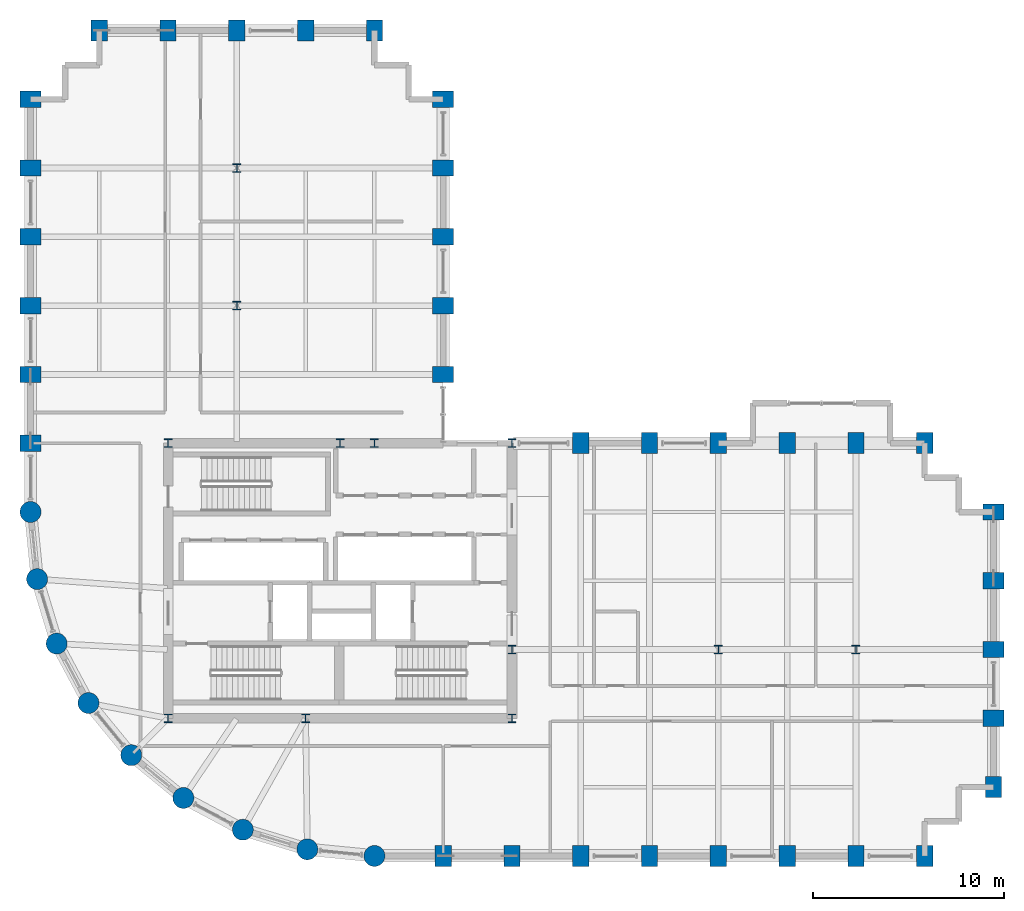
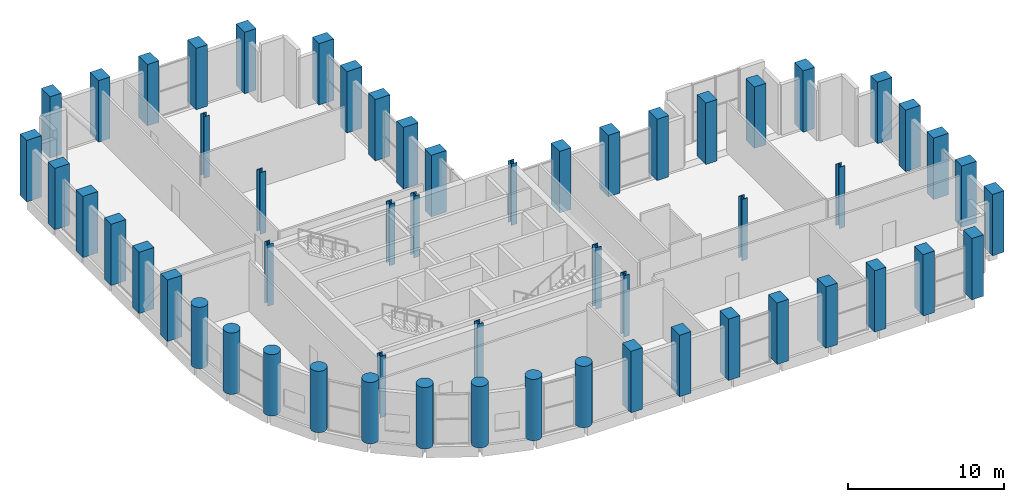
# One storey, part 1 of 22: 56 columns.
"""IFC4 building model written with IfcOpenShell, lengths in metres."""

from ifc_helpers import new_model, si_unit, direction, frame, origin, origin_2d, place, context, subcontext, project, spatial, rectangle, circle, i_section, extrude, material, material_profile, profile_set, type_object, element, save


model = new_model("IFC4")

# Units and contexts
model_context = context("Model", 3, precision=1e-05, world=origin(), true_north=direction((0.0, 1.0)))
body_context = subcontext(model_context, "Body", "Model", "MODEL_VIEW")
ifc_project = project(units=[si_unit("LENGTHUNIT", "METRE"), si_unit("AREAUNIT", "SQUARE_METRE"), si_unit("VOLUMEUNIT", "CUBIC_METRE"), si_unit("PLANEANGLEUNIT", "RADIAN"), si_unit("MASSUNIT", "GRAM", prefix="KILO")], contexts=[model_context])

# Site, building, storey
site_placement = place(None, origin())
site = spatial("IfcSite", under=ifc_project, at=site_placement, CompositionType="ELEMENT")
building_placement = place(site_placement, origin())
building = spatial("IfcBuilding", under=site, at=building_placement, Name="Solnavia Interchange Tower", CompositionType="ELEMENT")
storey_placement = place(building_placement, frame((0.0, 0.0, 115.199951171875)))
storey = spatial("IfcBuildingStorey", under=building, at=storey_placement, Name="L28", CompositionType="ELEMENT", Elevation=115.199951171875)

# Columns
ifc_material_1 = material(Name="Concrete C50/60", Category="concrete")
ifc_material_profile_1 = material_profile(ifc_material_1, rectangle(XDim=0.85009765625, YDim=1.10009765625, at=origin_2d()), Name="RC 1100x850")
ifc_profile_set_1 = profile_set([ifc_material_profile_1], Name="Concrete C50/60")
column_type_1 = type_object("IfcColumnType", Name="Col-RC-1100x850", PredefinedType="COLUMN", material=ifc_profile_set_1)
for number, where, z_axis, x_axis, name in (
    (1, (7.199951171875, 25.199951171875, 0.0), (0.0, 0.0, 1.0), (0.0, 1.0, 0.0), "COL-L28-02 Tower perim y column"),
    (2, (7.199951171875, 28.800048828125, 0.0), (0.0, 0.0, 1.0), (0.0, 1.0, 0.0), "COL-L28-03 Tower perim y column"),
    (3, (7.199951171875, 32.39990234375, 0.0), (0.0, 0.0, 1.0), (0.0, 1.0, 0.0), "COL-L28-04 Tower perim y column"),
    (4, (7.199951171875, 36.0, 0.0), (0.0, 0.0, 1.0), (0.0, 1.0, 0.0), "COL-L28-05 Tower perim y column"),
    (5, (7.199951171875, 39.60009765625, 0.0), (0.0, 0.0, 1.0), (0.0, 1.0, 0.0), "COL-L28-06 Tower perim y column"),
    (6, (7.199951171875, 43.199951171875, 0.0), (0.0, 0.0, 1.0), (0.0, 1.0, 0.0), "COL-L28-07 Tower corner column"),
    (7, (10.800048828125, 46.800048828125, 0.0), (0.0, 0.0, 1.0), (1.0, 0.0, 0.0), "COL-L28-11 Tower corner column"),
    (8, (14.39990234375, 46.800048828125, 0.0), (0.0, 0.0, 1.0), (1.0, 0.0, 0.0), "COL-L28-15 Tower perim x column"),
    (9, (18.0, 46.800048828125, 0.0), (0.0, 0.0, 1.0), (1.0, 0.0, 0.0), "COL-L28-19 Tower perim x column"),
    (10, (21.60009765625, 46.800048828125, 0.0), (0.0, 0.0, 1.0), (1.0, 0.0, 0.0), "COL-L28-22 Tower perim x column"),
    (11, (25.199951171875, 46.800048828125, 0.0), (0.0, 0.0, 1.0), (1.0, 0.0, 0.0), "COL-L28-27 Tower corner column"),
    (12, (28.800048828125, 3.60009765625, 0.0), (0.0, 0.0, 1.0), (1.0, 0.0, 0.0), "COL-L28-28 Tower perim x column"),
    (13, (28.800048828125, 28.800048828125, 0.0), (0.0, 0.0, 1.0), (0.0, 1.0, 0.0), "COL-L28-29 Tower perim y column"),
    (14, (28.800048828125, 32.39990234375, 0.0), (0.0, 0.0, 1.0), (0.0, 1.0, 0.0), "COL-L28-30 Tower perim y column"),
    (15, (28.800048828125, 36.0, 0.0), (0.0, 0.0, 1.0), (0.0, 1.0, 0.0), "COL-L28-31 Tower perim y column"),
    (16, (28.800048828125, 39.60009765625, 0.0), (0.0, 0.0, 1.0), (0.0, 1.0, 0.0), "COL-L28-32 Tower perim y column"),
    (17, (28.800048828125, 43.199951171875, 0.0), (0.0, 0.0, 1.0), (0.0, 1.0, 0.0), "COL-L28-33 Tower corner column"),
    (18, (32.39990234375, 3.60009765625, 0.0), (0.0, 0.0, 1.0), (1.0, 0.0, 0.0), "COL-L28-34 Tower perim x column"),
    (19, (36.0, 3.60009765625, 0.0), (0.0, 0.0, 1.0), (1.0, 0.0, 0.0), "COL-L28-38 Tower perim x column"),
    (20, (36.0, 25.199951171875, 0.0), (0.0, 0.0, 1.0), (1.0, 0.0, 0.0), "COL-L28-39 Tower perim x column"),
    (21, (39.60009765625, 3.60009765625, 0.0), (0.0, 0.0, 1.0), (1.0, 0.0, 0.0), "COL-L28-40 Tower perim x column"),
    (22, (39.60009765625, 25.199951171875, 0.0), (0.0, 0.0, 1.0), (1.0, 0.0, 0.0), "COL-L28-41 Tower perim x column"),
    (23, (43.199951171875, 3.60009765625, 0.0), (0.0, 0.0, 1.0), (1.0, 0.0, 0.0), "COL-L28-42 Tower perim x column"),
    (24, (43.199951171875, 25.199951171875, 0.0), (0.0, 0.0, 1.0), (1.0, 0.0, 0.0), "COL-L28-44 Tower perim x column"),
    (25, (46.800048828125, 3.60009765625, 0.0), (0.0, 0.0, 1.0), (1.0, 0.0, 0.0), "COL-L28-45 Tower perim x column"),
    (26, (46.800048828125, 25.199951171875, 0.0), (0.0, 0.0, 1.0), (1.0, 0.0, 0.0), "COL-L28-46 Tower perim x column"),
    (27, (50.39990234375, 3.60009765625, 0.0), (0.0, 0.0, 1.0), (1.0, 0.0, 0.0), "COL-L28-47 Tower perim x column"),
    (28, (50.39990234375, 25.199951171875, 0.0), (0.0, 0.0, 1.0), (1.0, 0.0, 0.0), "COL-L28-49 Tower perim x column"),
    (29, (54.0, 3.60009765625, 0.0), (0.0, 0.0, 1.0), (1.0, 0.0, 0.0), "COL-L28-50 Tower corner column"),
    (30, (54.0, 25.199951171875, 0.0), (0.0, 0.0, 1.0), (1.0, 0.0, 0.0), "COL-L28-51 Tower corner column"),
    (31, (57.60009765625, 7.199951171875, 0.0), (0.0, 0.0, 1.0), (1.0, 0.0, 0.0), "COL-L28-52 Tower corner column"),
    (32, (57.60009765625, 10.800048828125, 0.0), (0.0, 0.0, 1.0), (0.0, 1.0, 0.0), "COL-L28-53 Tower perim y column"),
    (33, (57.60009765625, 14.39990234375, 0.0), (0.0, 0.0, 1.0), (0.0, 1.0, 0.0), "COL-L28-54 Tower perim y column"),
    (34, (57.60009765625, 18.0, 0.0), (0.0, 0.0, 1.0), (0.0, 1.0, 0.0), "COL-L28-55 Tower perim y column"),
    (35, (57.60009765625, 21.60009765625, 0.0), (0.0, 0.0, 1.0), (0.0, 1.0, 0.0), "COL-L28-56 Tower corner column"),
):
    element("IfcColumn", number, at=place(storey_placement, frame(where, z_axis=z_axis, x_axis=x_axis)), inside=storey, type_object=column_type_1, Name=name, PredefinedType="COLUMN", context=body_context, shape_type="SweptSolid", body=[
        extrude(rectangle(XDim=0.85009765625, YDim=1.10009765625, at=origin_2d()), origin(), (0.0, 0.0, 1.0), 4.800048828125),
    ])
ifc_material_2 = material(Name="Concrete C60/75", Category="concrete")
ifc_material_profile_2 = material_profile(ifc_material_2, circle(Radius=0.550048828125, at=origin_2d()), Name="RC D1100")
ifc_profile_set_2 = profile_set([ifc_material_profile_2], Name="Concrete C60/75")
column_type_2 = type_object("IfcColumnType", Name="Col-RC-D1100", PredefinedType="COLUMN", material=ifc_profile_set_2)
for number, where, z_axis, x_axis, name in (
    (36, (7.199951171875, 21.60009765625, 0.0), (0.0, 0.0, 1.0), (1.0, 0.0, 0.0), "COL-L28-01 Tower drum column"),
    (37, (7.5458984375, 18.087890625, 0.0), (0.0, 0.0, 1.0), (1.0, 0.0, 0.0), "COL-L28-08 Tower drum column"),
    (38, (8.570068359375, 14.7119140625, 0.0), (0.0, 0.0, 1.0), (1.0, 0.0, 0.0), "COL-L28-09 Tower drum column"),
    (39, (10.23388671875, 11.60009765625, 0.0), (0.0, 0.0, 1.0), (1.0, 0.0, 0.0), "COL-L28-10 Tower drum column"),
    (40, (12.471923828125, 8.8720703125, 0.0), (0.0, 0.0, 1.0), (1.0, 0.0, 0.0), "COL-L28-12 Tower drum column"),
    (41, (15.199951171875, 6.634033203125, 0.0), (0.0, 0.0, 1.0), (1.0, 0.0, 0.0), "COL-L28-16 Tower drum column"),
    (42, (18.31201171875, 4.969970703125, 0.0), (0.0, 0.0, 1.0), (1.0, 0.0, 0.0), "COL-L28-20 Tower drum column"),
    (43, (21.68798828125, 3.946044921875, 0.0), (0.0, 0.0, 1.0), (1.0, 0.0, 0.0), "COL-L28-23 Tower drum column"),
    (44, (25.199951171875, 3.60009765625, 0.0), (0.0, 0.0, 1.0), (1.0, 0.0, 0.0), "COL-L28-25 Tower drum column"),
):
    element("IfcColumn", number, at=place(storey_placement, frame(where, z_axis=z_axis, x_axis=x_axis)), inside=storey, type_object=column_type_2, Name=name, PredefinedType="COLUMN", context=body_context, shape_type="SweptSolid", body=[
        extrude(circle(Radius=0.550048828125, at=origin_2d()), origin(), (0.0, 0.0, 1.0), 4.800048828125),
    ])
ifc_material_3 = material(Name="Steel S355", Category="steel")
ifc_material_profile_3 = material_profile(ifc_material_3, i_section(OverallWidth=0.416015625, OverallDepth=0.44189453125, WebThickness=0.02490234375, FlangeThickness=0.041015625, FilletRadius=0.014892578125, at=origin_2d()), Name="HD 400x382")
ifc_profile_set_3 = profile_set([ifc_material_profile_3], Name="Steel S355")
column_type_3 = type_object("IfcColumnType", Name="Col-Steel-HD400x382", PredefinedType="COLUMN", material=ifc_profile_set_3)
for number, where, z_axis, x_axis, name in (
    (45, (14.39990234375, 10.800048828125, 0.0), (0.0, 0.0, 1.0), (1.0, 0.0, 0.0), "COL-L28-13 Tower interior column"),
    (46, (14.39990234375, 25.199951171875, 0.0), (0.0, 0.0, 1.0), (1.0, 0.0, 0.0), "COL-L28-14 Tower interior column"),
    (47, (18.0, 32.39990234375, 0.0), (0.0, 0.0, 1.0), (1.0, 0.0, 0.0), "COL-L28-17 Tower interior column"),
    (48, (18.0, 39.60009765625, 0.0), (0.0, 0.0, 1.0), (1.0, 0.0, 0.0), "COL-L28-18 Tower interior column"),
    (49, (21.60009765625, 10.800048828125, 0.0), (0.0, 0.0, 1.0), (1.0, 0.0, 0.0), "COL-L28-21 Tower interior column"),
    (50, (23.39990234375, 25.199951171875, 0.0), (0.0, 0.0, 1.0), (1.0, 0.0, 0.0), "COL-L28-24 Tower interior column"),
    (51, (25.199951171875, 25.199951171875, 0.0), (0.0, 0.0, 1.0), (1.0, 0.0, 0.0), "COL-L28-26 Tower interior column"),
    (52, (32.39990234375, 10.800048828125, 0.0), (0.0, 0.0, 1.0), (1.0, 0.0, 0.0), "COL-L28-35 Tower interior column"),
    (53, (32.39990234375, 14.39990234375, 0.0), (0.0, 0.0, 1.0), (1.0, 0.0, 0.0), "COL-L28-36 Tower interior column"),
    (54, (32.39990234375, 25.199951171875, 0.0), (0.0, 0.0, 1.0), (1.0, 0.0, 0.0), "COL-L28-37 Tower interior column"),
    (55, (43.199951171875, 14.39990234375, 0.0), (0.0, 0.0, 1.0), (1.0, 0.0, 0.0), "COL-L28-43 Tower interior column"),
    (56, (50.39990234375, 14.39990234375, 0.0), (0.0, 0.0, 1.0), (1.0, 0.0, 0.0), "COL-L28-48 Tower interior column"),
):
    element("IfcColumn", number, at=place(storey_placement, frame(where, z_axis=z_axis, x_axis=x_axis)), inside=storey, type_object=column_type_3, Name=name, PredefinedType="COLUMN", context=body_context, shape_type="SweptSolid", body=[
        extrude(i_section(OverallWidth=0.416015625, OverallDepth=0.44189453125, WebThickness=0.02490234375, FlangeThickness=0.041015625, FilletRadius=0.014892578125, at=origin_2d()), origin(), (0.0, 0.0, 1.0), 4.800048828125),
    ])

save(model, "model.ifc")
